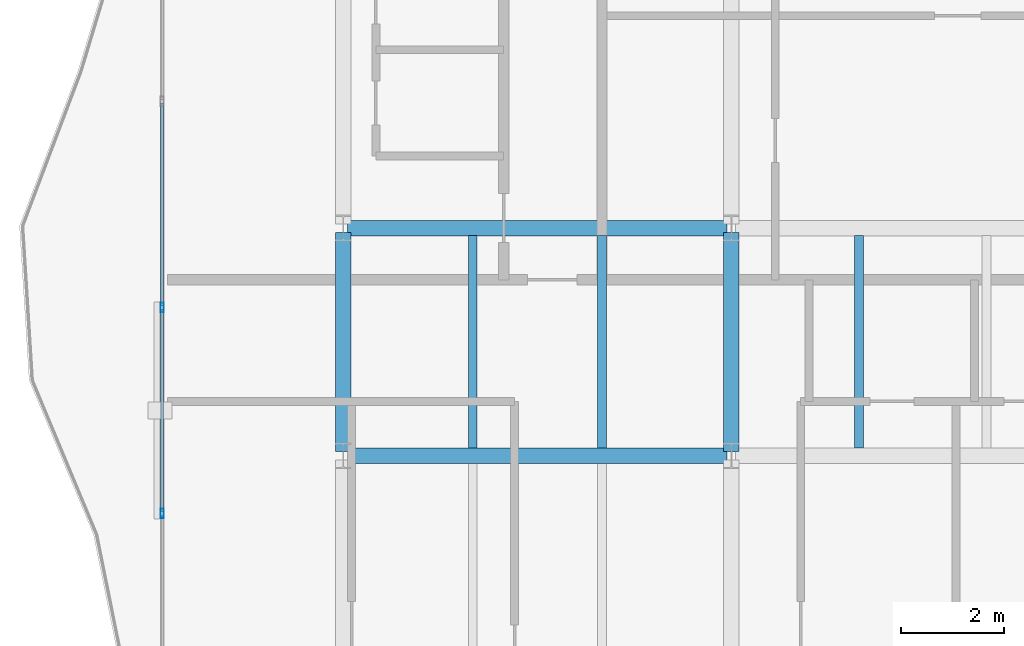
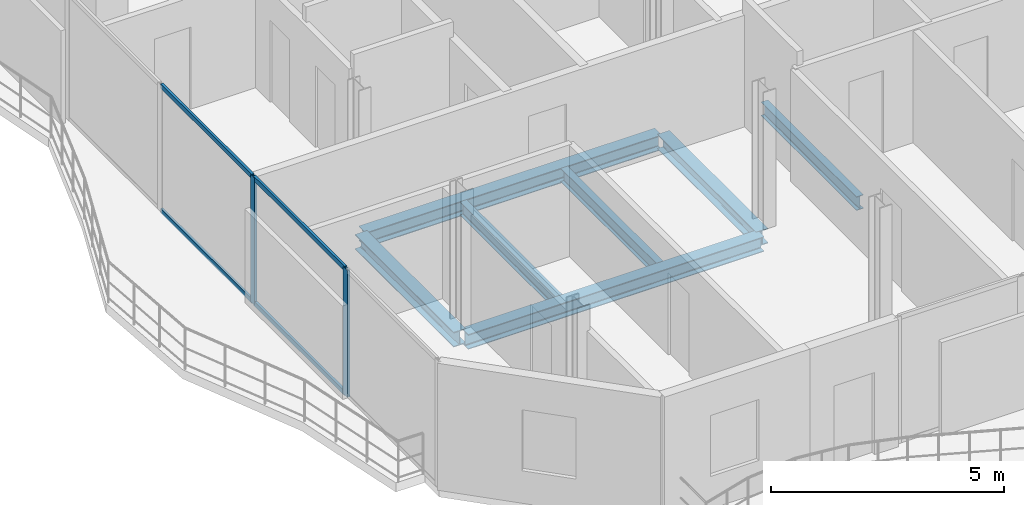
# One storey, part 5 of 23: 7 beams, 6 members, 1 element without a shape of its own.
"""IFC4 building model written with IfcOpenShell, lengths in metres."""

import ifcopenshell
import ifcopenshell.guid

model = None  # the IFC model being written
_history = None  # IfcOwnerHistory: only IFC2X3 demands one
_inside = {}  # id of a spatial element -> (the spatial element, [elements in it])
_under = {}  # id of a project, library or spatial element -> (it, [spatial elements below it])
_declared = {}  # id of a project -> (the project, [libraries it declares])
_typed = {}  # id of a type object -> (the type object, [elements of that type])
_made_of = {}  # id of a material, layer set ... -> (it, [elements and type objects made of it])


def new_model(schema):
    """Start an empty IFC model of exactly this schema.

    Asked for "IFC4X3", IfcOpenShell would pick the latest addendum, in which some entities
    have other attributes; the version numbers below select the first issue.
    IFC2X3 requires an IfcOwnerHistory on every rooted entity: one is made here for all.
    """
    global model, _history
    if schema == "IFC4X3":
        model = ifcopenshell.file(schema_version=(4, 3, 0, 0))
    else:
        model = ifcopenshell.file(schema=schema)
    _inside.clear()
    _under.clear()
    _declared.clear()
    _typed.clear()
    _made_of.clear()
    _history = None
    if model.schema == "IFC2X3":
        org = make("IfcOrganization", Name="unknown")
        user = make(
            "IfcPersonAndOrganization",
            ThePerson=make("IfcPerson", FamilyName="unknown"),
            TheOrganization=org,
        )
        app = make(
            "IfcApplication",
            ApplicationDeveloper=org,
            Version="unknown",
            ApplicationFullName="unknown",
            ApplicationIdentifier="unknown",
        )
        _history = make(
            "IfcOwnerHistory",
            OwningUser=user,
            OwningApplication=app,
            ChangeAction="ADDED",
            CreationDate=0,
        )
    return model


def make(cls, **values):
    """One entity of the class cls with the attributes given. An attribute that is None is left unset."""
    return model.create_entity(
        cls, **{name: value for name, value in values.items() if value is not None}
    )


def rooted(cls, **values):
    """An entity with a GlobalId (a new one), such as an element, a storey or a relation."""
    return make(cls, GlobalId=ifcopenshell.guid.new(), OwnerHistory=_history, **values)


def si_unit(unit_type, name, prefix=None):
    """IfcSIUnit, for example si_unit("LENGTHUNIT", "METRE", prefix="MILLI")."""
    return make("IfcSIUnit", UnitType=unit_type, Prefix=prefix, Name=name)


def assignment(units):
    """IfcUnitAssignment: the units of a project."""
    return None if units is None else make("IfcUnitAssignment", Units=units)


def point(xyz):
    """IfcCartesianPoint."""
    return None if xyz is None else make("IfcCartesianPoint", Coordinates=xyz)


def direction(xyz):
    """IfcDirection."""
    return None if xyz is None else make("IfcDirection", DirectionRatios=xyz)


def frame(location, z_axis=None, x_axis=None):
    """IfcAxis2Placement3D, a coordinate frame: its origin and axes. An axis left out is left unset."""
    return make(
        "IfcAxis2Placement3D",
        Location=point(location),
        Axis=direction(z_axis),
        RefDirection=direction(x_axis),
    )


def frame_2d(location, x_axis=None):
    """IfcAxis2Placement2D, a coordinate frame in the plane: its origin and x axis."""
    return make(
        "IfcAxis2Placement2D", Location=point(location), RefDirection=direction(x_axis)
    )


def origin():
    """The frame at (0, 0, 0) with its axes left unset."""
    return frame((0.0, 0.0, 0.0))


def origin_2d():
    """The frame at (0, 0) in the plane with its x axis left unset."""
    return frame_2d((0.0, 0.0))


def place(relative_to, where):
    """IfcLocalPlacement: puts the frame where relative to a parent placement (None: the world)."""
    return make(
        "IfcLocalPlacement", PlacementRelTo=relative_to, RelativePlacement=where
    )


def context(
    kind, dimensions, precision=None, world=None, true_north=None, identifier=None
):
    """IfcGeometricRepresentationContext, for example the 3D "Model" context."""
    return make(
        "IfcGeometricRepresentationContext",
        ContextIdentifier=identifier,
        ContextType=kind,
        CoordinateSpaceDimension=dimensions,
        Precision=precision,
        WorldCoordinateSystem=world,
        TrueNorth=true_north,
    )


def subcontext(parent, identifier, kind, view, scale=None):
    """IfcGeometricRepresentationSubContext, for example "Body" below "Model"."""
    return make(
        "IfcGeometricRepresentationSubContext",
        ContextIdentifier=identifier,
        ContextType=kind,
        ParentContext=parent,
        TargetScale=scale,
        TargetView=view,
    )


def project(units=None, contexts=None):
    """IfcProject with its units and contexts."""
    return rooted(
        "IfcProject",
        Name="project",
        RepresentationContexts=contexts,
        UnitsInContext=assignment(units),
    )


def spatial(cls, under=None, at=None, **own):
    """A site, building, storey or space (cls), placed at a placement, below another one or the project."""
    s = rooted(cls, ObjectPlacement=at, **own)
    if under is not None:
        _under.setdefault(under.id(), (under, []))[1].append(s)
    return s


def profile(cls, at=None, kind="AREA", **sizes):
    """A parametric profile (cls). Its sizes go by their IFC names, for example OverallWidth=200.0."""
    return make(cls, ProfileType=kind, Position=at, **sizes)


def hollow_rectangle(**sizes):
    """IfcRectangleHollowProfileDef."""
    return profile("IfcRectangleHollowProfileDef", **sizes)


def i_section(**sizes):
    """IfcIShapeProfileDef."""
    return profile("IfcIShapeProfileDef", **sizes)


def extrude(swept, where, along, depth):
    """IfcExtrudedAreaSolid: the profile swept, set in the frame where, extruded along a direction by depth."""
    return make(
        "IfcExtrudedAreaSolid",
        SweptArea=swept,
        Position=where,
        ExtrudedDirection=direction(along),
        Depth=depth,
    )


def shape(context_of_items, identifier, shape_type, items):
    """IfcShapeRepresentation: the items that make up one representation, for example the "Body"."""
    return make(
        "IfcShapeRepresentation",
        ContextOfItems=context_of_items,
        RepresentationIdentifier=identifier,
        RepresentationType=shape_type,
        Items=items,
    )


def material(Name=None, Category=None):
    """IfcMaterial."""
    return make("IfcMaterial", Name=Name, Category=Category)


def layer(
    of_material, thickness, ventilated=None, Name=None, Category=None, Priority=None
):
    """IfcMaterialLayer: one layer of a wall or slab, of a material (None: an air gap)."""
    return make(
        "IfcMaterialLayer",
        Material=of_material,
        LayerThickness=thickness,
        IsVentilated=ventilated,
        Name=Name,
        Category=Category,
        Priority=Priority,
    )


def layer_set(layers, Name=None):
    """IfcMaterialLayerSet."""
    return make("IfcMaterialLayerSet", MaterialLayers=layers, LayerSetName=Name)


def material_profile(
    of_material, cross_section, Name=None, Category=None, Priority=None
):
    """IfcMaterialProfile: a cross section and its material."""
    return make(
        "IfcMaterialProfile",
        Name=Name,
        Material=of_material,
        Profile=cross_section,
        Priority=Priority,
        Category=Category,
    )


def profile_set(profiles, Name=None, composite=None):
    """IfcMaterialProfileSet."""
    return make(
        "IfcMaterialProfileSet",
        Name=Name,
        MaterialProfiles=profiles,
        CompositeProfile=composite,
    )


def made_of(thing, what):
    """Note that an element or type object is made of a material, layer set ...; save() writes the relation."""
    if what is not None:
        _made_of.setdefault(what.id(), (what, []))[1].append(thing)
    return thing


def type_object(cls, material=None, **own):
    """A type object (cls), such as IfcWallType, which elements share."""
    return made_of(rooted(cls, **own), material)


def element(
    cls,
    number,
    at=None,
    inside=None,
    cuts=None,
    type_object=None,
    material=None,
    context=None,
    identifier="Body",
    shape_type=None,
    held_by="IfcProductDefinitionShape",
    body=None,
    shapes=None,
    **own,
):
    """One element of the class cls, such as IfcWall. Its Tag is "e" and its number.

    at: its placement. inside: the storey or other place that contains it. cuts: it is an
    opening in that element (IfcRelVoidsElement). A single representation is given by context,
    identifier, shape_type and body (its items); several are given by shapes. held_by: the class
    of the entity that holds the representations. save() writes the other relations.
    """
    e = rooted(cls, Tag="e%d" % number, ObjectPlacement=at, **own)
    if body is not None:
        shapes = [shape(context, identifier, shape_type, body)]
    if shapes is not None:
        e.Representation = make(held_by, Representations=shapes)
    if inside is not None:
        _inside.setdefault(inside.id(), (inside, []))[1].append(e)
    if cuts is not None:
        rooted(
            "IfcRelVoidsElement", RelatingBuildingElement=cuts, RelatedOpeningElement=e
        )
    if type_object is not None:
        _typed.setdefault(type_object.id(), (type_object, []))[1].append(e)
    return made_of(e, material)


def aggregate(whole, parts):
    """IfcRelAggregates: a whole, such as a stair, and the parts it consists of."""
    return rooted("IfcRelAggregates", RelatingObject=whole, RelatedObjects=parts)


def save(model, path):
    """Write the relations noted so far, then the file.

    IfcRelAggregates (storeys below a building ...), IfcRelContainedInSpatialStructure (elements
    in a storey), IfcRelDefinesByType, IfcRelAssociatesMaterial and IfcRelDeclares: one each for
    every whole, place, type object, material and project.
    """
    for whole, parts in _under.values():
        aggregate(whole, parts)
    for where, things in _inside.values():
        rooted(
            "IfcRelContainedInSpatialStructure",
            RelatedElements=things,
            RelatingStructure=where,
        )
    for kind, things in _typed.values():
        rooted("IfcRelDefinesByType", RelatedObjects=things, RelatingType=kind)
    for what, things in _made_of.values():
        rooted("IfcRelAssociatesMaterial", RelatedObjects=things, RelatingMaterial=what)
    for by, libraries in _declared.values():
        rooted("IfcRelDeclares", RelatingContext=by, RelatedDefinitions=libraries)
    model.write(path)


model = new_model("IFC4")

# Units and contexts
model_context = context("Model", 3, precision=1e-05, world=origin(), true_north=direction((0.0, 1.0)))
body_context = subcontext(model_context, "Body", "Model", "MODEL_VIEW")
ifc_project = project(units=[si_unit("LENGTHUNIT", "METRE"), si_unit("AREAUNIT", "SQUARE_METRE"), si_unit("VOLUMEUNIT", "CUBIC_METRE"), si_unit("PLANEANGLEUNIT", "RADIAN"), si_unit("MASSUNIT", "GRAM", prefix="KILO")], contexts=[model_context])

# Site, building, storey
site_placement = place(None, origin())
site = spatial("IfcSite", under=ifc_project, at=site_placement, CompositionType="ELEMENT")
building_placement = place(site_placement, origin())
building = spatial("IfcBuilding", under=site, at=building_placement, Name="Catumbela Crestline Tower", CompositionType="ELEMENT")
storey_placement = place(building_placement, frame((0.0, 0.0, 165.0)))
storey = spatial("IfcBuildingStorey", under=building, at=storey_placement, Name="L42", CompositionType="ELEMENT", Elevation=165.0)

# Beams
ifc_material_1 = material(Name="Structural steel S355J2", Category="steel")
ifc_material_profile_1 = material_profile(ifc_material_1, i_section(OverallWidth=0.3, OverallDepth=0.39, WebThickness=0.011, FlangeThickness=0.019, FilletRadius=0.027, at=origin_2d()), Name="HEA 400")
ifc_profile_set_1 = profile_set([ifc_material_profile_1], Name="Structural steel S355J2")
beam_type_1 = type_object("IfcBeamType", Name="BG-HEA400", PredefinedType="BEAM", material=ifc_profile_set_1)
for number, where, z_axis, x_axis, name in (
    (1, (8.58, 13.6, -0.455), (1.0, 0.0, 0.0), (0.0, 1.0, 0.0), "L42 Beam BM-L42-WEW33"),
    (2, (8.58, 18.0, -0.455), (1.0, 0.0, 0.0), (0.0, 1.0, 0.0), "L42 Beam BM-L42-WEW35"),
):
    element("IfcBeam", number, at=place(storey_placement, frame(where, z_axis=z_axis, x_axis=x_axis)), inside=storey, type_object=beam_type_1, Name=name, PredefinedType="BEAM", context=body_context, shape_type="SweptSolid", body=[
        extrude(i_section(OverallWidth=0.3, OverallDepth=0.39, WebThickness=0.011, FlangeThickness=0.019, FilletRadius=0.027, at=origin_2d()), origin(), (0.0, 0.0, 1.0), 7.34),
    ])
for number, where, z_axis, x_axis, name in (
    (3, (8.5, 13.68, -0.455), (0.0, 1.0, 0.0), (-1.0, 0.0, 0.0), "L42 Beam BM-L42-WNS38"),
    (4, (16.0, 13.68, -0.455), (0.0, 1.0, 0.0), (-1.0, 0.0, 0.0), "L42 Beam BM-L42-WNS41"),
):
    element("IfcBeam", number, at=place(storey_placement, frame(where, z_axis=z_axis, x_axis=x_axis)), inside=storey, type_object=beam_type_1, Name=name, PredefinedType="BEAM", context=body_context, shape_type="SweptSolid", body=[
        extrude(i_section(OverallWidth=0.3, OverallDepth=0.39, WebThickness=0.011, FlangeThickness=0.019, FilletRadius=0.027, at=origin_2d()), origin(), (0.0, 0.0, 1.0), 4.24),
    ])
ifc_material_profile_2 = material_profile(ifc_material_1, i_section(OverallWidth=0.17, OverallDepth=0.36, WebThickness=0.008, FlangeThickness=0.0127, FilletRadius=0.018, at=origin_2d()), Name="IPE 360")
ifc_profile_set_2 = profile_set([ifc_material_profile_2], Name="Structural steel S355J2")
beam_type_2 = type_object("IfcBeamType", Name="BJ-IPE360", PredefinedType="JOIST", material=ifc_profile_set_2)
for number, where, z_axis, x_axis, name in (
    (5, (11.0, 13.747, -0.44), (0.0, 1.0, 0.0), (-1.0, 0.0, 0.0), "L42 Joist JS-L42-WG46"),
    (6, (13.5, 13.747, -0.44), (0.0, 1.0, 0.0), (-1.0, 0.0, 0.0), "L42 Joist JS-L42-WG47"),
    (7, (18.467, 13.747, -0.44), (0.0, 1.0, 0.0), (-1.0, 0.0, 0.0), "L42 Joist JS-L42-WG48"),
):
    element("IfcBeam", number, at=place(storey_placement, frame(where, z_axis=z_axis, x_axis=x_axis)), inside=storey, type_object=beam_type_2, Name=name, PredefinedType="JOIST", context=body_context, shape_type="SweptSolid", body=[
        extrude(i_section(OverallWidth=0.17, OverallDepth=0.36, WebThickness=0.008, FlangeThickness=0.0127, FilletRadius=0.018, at=origin_2d()), origin(), (0.0, 0.0, 1.0), 4.106),
    ])

# Curtain wall, members
ifc_material_2 = material(Name="Aluminium alloy AW-6060-T66", Category="aluminium")
ifc_layer = layer(ifc_material_2, 0.18, Name="Aluminium alloy AW-6060-T66")
ifc_layer_set = layer_set([ifc_layer], Name="Aluminium alloy AW-6060-T66")
curtain_wall_type = type_object("IfcCurtainWallType", Name="CWU-Z3", PredefinedType="USERDEFINED", material=ifc_layer_set)
curtain_wall_placement = place(storey_placement, origin())
curtain_wall = element("IfcCurtainWall", 8, at=curtain_wall_placement, inside=storey, type_object=curtain_wall_type, Name="L42 Unitised Curtain Wall CW-L42-E9S2", ObjectType="UNITISED", PredefinedType="USERDEFINED")
ifc_material_profile_3 = material_profile(ifc_material_2, hollow_rectangle(XDim=0.065, YDim=0.18, WallThickness=0.004, at=origin_2d()), Name="ALU 180x65x4")
ifc_profile_set_3 = profile_set([ifc_material_profile_3], Name="Aluminium alloy AW-6060-T66")
member_type_1 = type_object("IfcMemberType", Name="MUL-180X65", PredefinedType="MULLION", material=ifc_profile_set_3)
member_1_placement = place(storey_placement, frame((5.0, 16.4667, 0.0), z_axis=(0.0, 0.0, 1.0), x_axis=(1.0, 0.0, 0.0)))
member_1 = element("IfcMember", 9, at=member_1_placement, type_object=member_type_1, Name="CWU-Z3 mullion 5", PredefinedType="MULLION", context=body_context, shape_type="SweptSolid", body=[
    extrude(hollow_rectangle(XDim=0.065, YDim=0.18, WallThickness=0.004, at=origin_2d()), origin(), (0.0, 0.0, 1.0), 3.33),
])
member_2_placement = place(storey_placement, frame((5.0, 12.4833, 0.0), z_axis=(0.0, 0.0, 1.0), x_axis=(1.0, 0.0, 0.0)))
member_2 = element("IfcMember", 10, at=member_2_placement, type_object=member_type_1, Name="CWU-Z3 mullion 6", PredefinedType="MULLION", context=body_context, shape_type="SweptSolid", body=[
    extrude(hollow_rectangle(XDim=0.065, YDim=0.18, WallThickness=0.004, at=origin_2d()), origin(), (0.0, 0.0, 1.0), 3.33),
])
ifc_material_profile_4 = material_profile(ifc_material_2, hollow_rectangle(XDim=0.06, YDim=0.12, WallThickness=0.0035, at=origin_2d()), Name="ALU 120x60x3.5")
ifc_profile_set_4 = profile_set([ifc_material_profile_4], Name="Aluminium alloy AW-6060-T66")
member_type_2 = type_object("IfcMemberType", Name="TRN-120X60", PredefinedType="USERDEFINED", material=ifc_profile_set_4)
member_3_placement = place(storey_placement, frame((5.0, 20.4175, 0.03), z_axis=(0.0, -1.0, 0.0), x_axis=(1.0, 0.0, 0.0)))
member_3 = element("IfcMember", 11, at=member_3_placement, type_object=member_type_2, Name="CWU-Z3 transom 4.1", ObjectType="TRANSOM", PredefinedType="USERDEFINED", context=body_context, shape_type="SweptSolid", body=[
    extrude(hollow_rectangle(XDim=0.06, YDim=0.12, WallThickness=0.0035, at=origin_2d()), origin(), (0.0, 0.0, 1.0), 3.9183),
])
member_4_placement = place(storey_placement, frame((5.0, 20.4175, 3.3), z_axis=(0.0, -1.0, 0.0), x_axis=(1.0, 0.0, 0.0)))
member_4 = element("IfcMember", 12, at=member_4_placement, type_object=member_type_2, Name="CWU-Z3 transom 4.2", ObjectType="TRANSOM", PredefinedType="USERDEFINED", context=body_context, shape_type="SweptSolid", body=[
    extrude(hollow_rectangle(XDim=0.06, YDim=0.12, WallThickness=0.0035, at=origin_2d()), origin(), (0.0, 0.0, 1.0), 3.9183),
])
member_5_placement = place(storey_placement, frame((5.0, 16.4342, 0.03), z_axis=(0.0, -1.0, 0.0), x_axis=(1.0, 0.0, 0.0)))
member_5 = element("IfcMember", 13, at=member_5_placement, type_object=member_type_2, Name="CWU-Z3 transom 5.1", ObjectType="TRANSOM", PredefinedType="USERDEFINED", context=body_context, shape_type="SweptSolid", body=[
    extrude(hollow_rectangle(XDim=0.06, YDim=0.12, WallThickness=0.0035, at=origin_2d()), origin(), (0.0, 0.0, 1.0), 3.9184),
])
member_6_placement = place(storey_placement, frame((5.0, 16.4342, 3.3), z_axis=(0.0, -1.0, 0.0), x_axis=(1.0, 0.0, 0.0)))
member_6 = element("IfcMember", 14, at=member_6_placement, type_object=member_type_2, Name="CWU-Z3 transom 5.2", ObjectType="TRANSOM", PredefinedType="USERDEFINED", context=body_context, shape_type="SweptSolid", body=[
    extrude(hollow_rectangle(XDim=0.06, YDim=0.12, WallThickness=0.0035, at=origin_2d()), origin(), (0.0, 0.0, 1.0), 3.9184),
])
aggregate(curtain_wall, [member_1, member_2, member_3, member_4, member_5, member_6])

save(model, "model.ifc")
